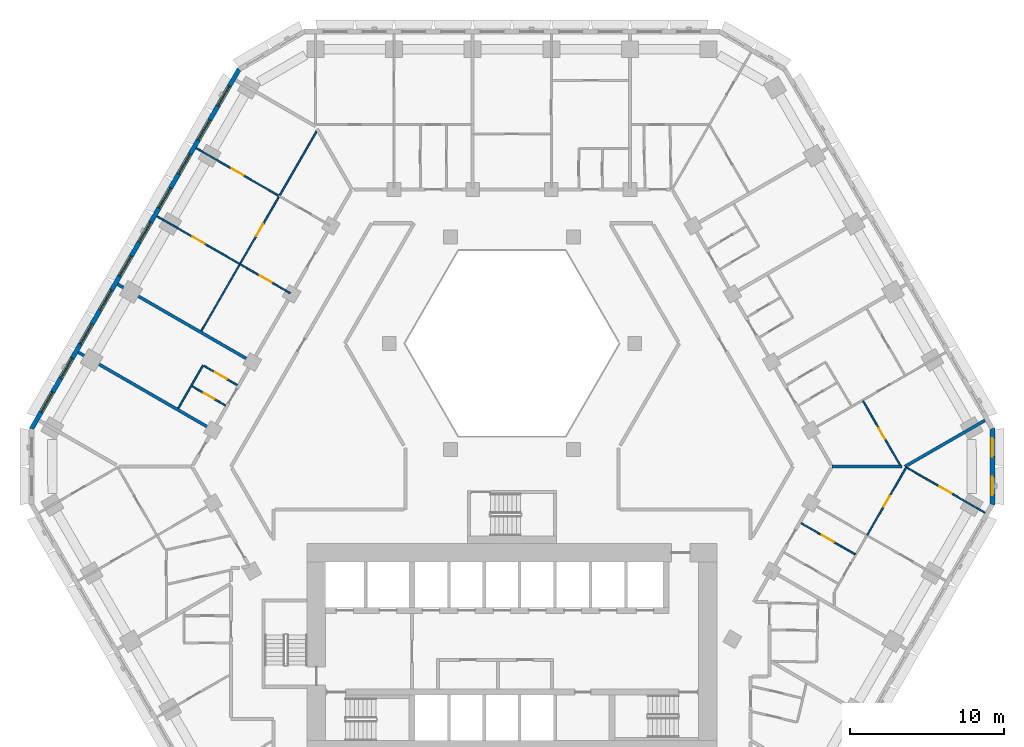
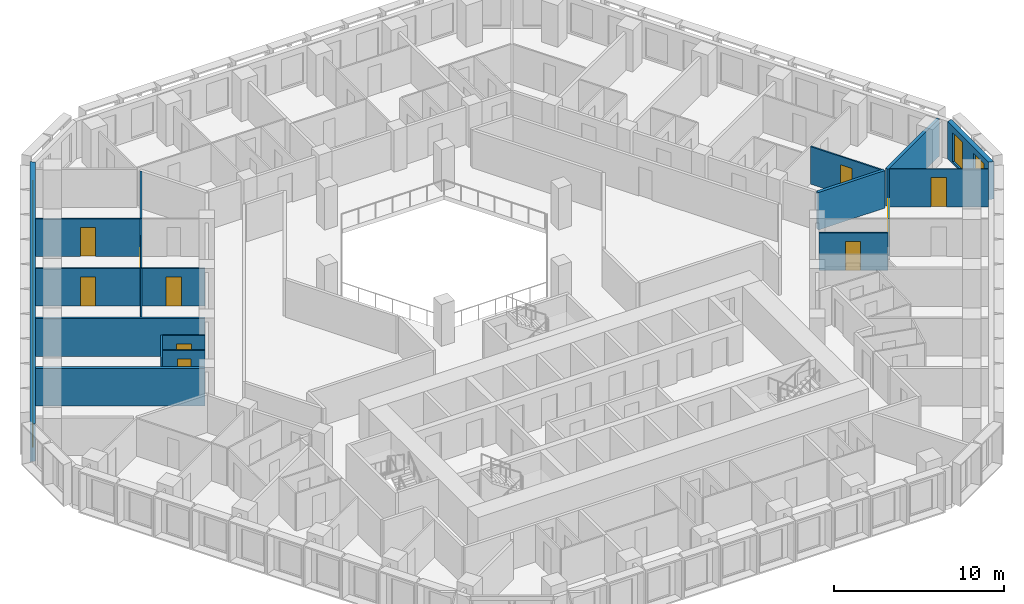
# One storey, part 8 of 21: 17 walls, 12 windows, 10 doors, 22 openings.
"""IFC4 building model written with IfcOpenShell, lengths in metres."""

from ifc_helpers import new_model, si_unit, direction, frame, frame_2d, origin, place, context, subcontext, project, spatial, polyline, rectangle, outline, extrude, material, layer, layer_set, type_object, element, fill, save


model = new_model("IFC4")

# Units and contexts
model_context = context("Model", 3, precision=1e-05, world=origin(), true_north=direction((0.0, 1.0)))
body_context = subcontext(model_context, "Body", "Model", "MODEL_VIEW")
ifc_project = project(units=[si_unit("LENGTHUNIT", "METRE"), si_unit("AREAUNIT", "SQUARE_METRE"), si_unit("VOLUMEUNIT", "CUBIC_METRE"), si_unit("PLANEANGLEUNIT", "RADIAN"), si_unit("MASSUNIT", "GRAM", prefix="KILO")], contexts=[model_context])

# Site, building, storey
site_placement = place(None, origin())
site = spatial("IfcSite", under=ifc_project, at=site_placement, CompositionType="ELEMENT")
building_placement = place(site_placement, origin())
building = spatial("IfcBuilding", under=site, at=building_placement, Name="Beryl Residences", CompositionType="ELEMENT")
storey_placement = place(building_placement, frame((0.0, 0.0, 41.39990234375)))
storey = spatial("IfcBuildingStorey", under=building, at=storey_placement, Name="L12", CompositionType="ELEMENT", Elevation=41.39990234375)

# Wall, openings, windows
ifc_material_1 = material(Name="Composite metal panel with mineral wool insulation")
ifc_layer_1 = layer(ifc_material_1, 0.300048828125)
ifc_layer_set_1 = layer_set([ifc_layer_1], Name="ES1 pale metal composite panel wall 300 mm")
wall_type_1 = type_object("IfcWallType", Name="ES1 pale metal composite panel wall 300 mm", PredefinedType="SOLIDWALL", material=ifc_layer_set_1)
wall_1_placement = place(storey_placement, frame((-17.7099609375, 25.824951171875, 0.0), z_axis=(0.0, 0.0, 1.0), x_axis=(-0.500001938803, -0.866024284413, 0.0)))
wall_1 = element("IfcWall", 1, at=wall_1_placement, inside=storey, type_object=wall_type_1, Name="ES1 external wall L12 NW", PredefinedType="SOLIDWALL", context=body_context, shape_type="SweptSolid", body=[
    extrude(outline(polyline([(0.0, -0.14990234375), (27.02001953125, -0.14990234375), (26.939697265625, 0.14990234375), (0.080322265625, 0.14990234375), (0.0, -0.14990234375)])), origin(), (0.0, 0.0, 1.0), 2.7001953125),
])
opening_1_placement = place(wall_1_placement, frame((1.277099609375, 0.0, 0.14990234375)))
opening_1 = element("IfcOpeningElement", 2, at=opening_1_placement, cuts=wall_1, Name="Opening W1", PredefinedType="OPENING", context=body_context, shape_type="SweptSolid", body=[
    extrude(rectangle(XDim=1.5, YDim=2.10009765625, at=frame_2d((0.75, 1.050048828125))), frame((0.0, 0.159912109375, 0.0), z_axis=(0.0, -1.0, 0.0), x_axis=(1.0, 0.0, 0.0)), (0.0, 0.0, 1.0), 0.320068359375),
])
opening_2_placement = place(wall_1_placement, frame((3.8291015625, 0.0, 0.14990234375)))
opening_2 = element("IfcOpeningElement", 3, at=opening_2_placement, cuts=wall_1, Name="Opening W1", PredefinedType="OPENING", context=body_context, shape_type="SweptSolid", body=[
    extrude(rectangle(XDim=1.5, YDim=2.10009765625, at=frame_2d((0.75, 1.050048828125))), frame((0.0, 0.159912109375, 0.0), z_axis=(0.0, -1.0, 0.0), x_axis=(1.0, 0.0, 0.0)), (0.0, 0.0, 1.0), 0.320068359375),
])
opening_3_placement = place(wall_1_placement, frame((6.382080078125, 0.0, 0.14990234375)))
opening_3 = element("IfcOpeningElement", 4, at=opening_3_placement, cuts=wall_1, Name="Opening W1", PredefinedType="OPENING", context=body_context, shape_type="SweptSolid", body=[
    extrude(rectangle(XDim=1.5, YDim=2.10009765625, at=frame_2d((0.75, 1.050048828125))), frame((0.0, 0.159912109375, 0.0), z_axis=(0.0, -1.0, 0.0), x_axis=(1.0, 0.0, 0.0)), (0.0, 0.0, 1.0), 0.320068359375),
])
opening_4_placement = place(wall_1_placement, frame((8.93310546875, 0.0, 0.14990234375)))
opening_4 = element("IfcOpeningElement", 5, at=opening_4_placement, cuts=wall_1, Name="Opening W1", PredefinedType="OPENING", context=body_context, shape_type="SweptSolid", body=[
    extrude(rectangle(XDim=1.5, YDim=2.10009765625, at=frame_2d((0.75, 1.050048828125))), frame((0.0, 0.159912109375, 0.0), z_axis=(0.0, -1.0, 0.0), x_axis=(1.0, 0.0, 0.0)), (0.0, 0.0, 1.0), 0.320068359375),
])
opening_5_placement = place(wall_1_placement, frame((11.485107421875, 0.0, 0.14990234375)))
opening_5 = element("IfcOpeningElement", 6, at=opening_5_placement, cuts=wall_1, Name="Opening W1", PredefinedType="OPENING", context=body_context, shape_type="SweptSolid", body=[
    extrude(rectangle(XDim=1.5, YDim=2.10009765625, at=frame_2d((0.75, 1.050048828125))), frame((0.0, 0.159912109375, 0.0), z_axis=(0.0, -1.0, 0.0), x_axis=(1.0, 0.0, 0.0)), (0.0, 0.0, 1.0), 0.320068359375),
])
opening_6_placement = place(wall_1_placement, frame((14.037109375, 0.0, 0.14990234375)))
opening_6 = element("IfcOpeningElement", 7, at=opening_6_placement, cuts=wall_1, Name="Opening W1", PredefinedType="OPENING", context=body_context, shape_type="SweptSolid", body=[
    extrude(rectangle(XDim=1.5, YDim=2.10009765625, at=frame_2d((0.75, 1.050048828125))), frame((0.0, 0.159912109375, 0.0), z_axis=(0.0, -1.0, 0.0), x_axis=(1.0, 0.0, 0.0)), (0.0, 0.0, 1.0), 0.320068359375),
])
opening_7_placement = place(wall_1_placement, frame((16.589111328125, 0.0, 0.14990234375)))
opening_7 = element("IfcOpeningElement", 8, at=opening_7_placement, cuts=wall_1, Name="Opening W1", PredefinedType="OPENING", context=body_context, shape_type="SweptSolid", body=[
    extrude(rectangle(XDim=1.5, YDim=2.10009765625, at=frame_2d((0.75, 1.050048828125))), frame((0.0, 0.159912109375, 0.0), z_axis=(0.0, -1.0, 0.0), x_axis=(1.0, 0.0, 0.0)), (0.0, 0.0, 1.0), 0.320068359375),
])
opening_8_placement = place(wall_1_placement, frame((19.14111328125, 0.0, 0.14990234375)))
opening_8 = element("IfcOpeningElement", 9, at=opening_8_placement, cuts=wall_1, Name="Opening W1", PredefinedType="OPENING", context=body_context, shape_type="SweptSolid", body=[
    extrude(rectangle(XDim=1.5, YDim=2.10009765625, at=frame_2d((0.75, 1.050048828125))), frame((0.0, 0.159912109375, 0.0), z_axis=(0.0, -1.0, 0.0), x_axis=(1.0, 0.0, 0.0)), (0.0, 0.0, 1.0), 0.320068359375),
])
opening_9_placement = place(wall_1_placement, frame((21.693115234375, 0.0, 0.14990234375)))
opening_9 = element("IfcOpeningElement", 10, at=opening_9_placement, cuts=wall_1, Name="Opening W1", PredefinedType="OPENING", context=body_context, shape_type="SweptSolid", body=[
    extrude(rectangle(XDim=1.5, YDim=2.10009765625, at=frame_2d((0.75, 1.050048828125))), frame((0.0, 0.159912109375, 0.0), z_axis=(0.0, -1.0, 0.0), x_axis=(1.0, 0.0, 0.0)), (0.0, 0.0, 1.0), 0.320068359375),
])
opening_10_placement = place(wall_1_placement, frame((24.243896484375, 0.0, 0.14990234375)))
opening_10 = element("IfcOpeningElement", 11, at=opening_10_placement, cuts=wall_1, Name="Opening W1", PredefinedType="OPENING", context=body_context, shape_type="SweptSolid", body=[
    extrude(rectangle(XDim=1.5, YDim=2.10009765625, at=frame_2d((0.75, 1.050048828125))), frame((0.0, 0.159912109375, 0.0), z_axis=(0.0, -1.0, 0.0), x_axis=(1.0, 0.0, 0.0)), (0.0, 0.0, 1.0), 0.320068359375),
])
ifc_material_2 = material(Name="Aluminium and clear glass", Category="aluminium")
window_type_1 = type_object("IfcWindowType", Name="W1 cell window 1500 x 2100 mm", PartitioningType="SINGLE_PANEL", PredefinedType="WINDOW", material=ifc_material_2)
window_1_placement = place(opening_1_placement, origin())
window_1 = element("IfcWindow", 12, at=window_1_placement, inside=storey, type_object=window_type_1, Name="W1 window L12 NW 1", OverallHeight=2.10009765625, OverallWidth=1.5, PartitioningType="SINGLE_PANEL", PredefinedType="WINDOW", context=body_context, shape_type="SweptSolid", body=[
    extrude(rectangle(XDim=1.5, YDim=2.10009765625, at=frame_2d((0.75, 1.050048828125))), frame((0.0, 0.030029296875, 0.0), z_axis=(0.0, -1.0, 0.0), x_axis=(1.0, 0.0, 0.0)), (0.0, 0.0, 1.0), 0.06005859375),
])
fill(opening_1, window_1)
window_2_placement = place(opening_2_placement, origin())
window_2 = element("IfcWindow", 13, at=window_2_placement, inside=storey, type_object=window_type_1, Name="W1 window L12 NW 2", OverallHeight=2.10009765625, OverallWidth=1.5, PartitioningType="SINGLE_PANEL", PredefinedType="WINDOW", context=body_context, shape_type="SweptSolid", body=[
    extrude(rectangle(XDim=1.5, YDim=2.10009765625, at=frame_2d((0.75, 1.050048828125))), frame((0.0, 0.030029296875, 0.0), z_axis=(0.0, -1.0, 0.0), x_axis=(1.0, 0.0, 0.0)), (0.0, 0.0, 1.0), 0.06005859375),
])
fill(opening_2, window_2)
window_3_placement = place(opening_3_placement, origin())
window_3 = element("IfcWindow", 14, at=window_3_placement, inside=storey, type_object=window_type_1, Name="W1 window L12 NW 3", OverallHeight=2.10009765625, OverallWidth=1.5, PartitioningType="SINGLE_PANEL", PredefinedType="WINDOW", context=body_context, shape_type="SweptSolid", body=[
    extrude(rectangle(XDim=1.5, YDim=2.10009765625, at=frame_2d((0.75, 1.050048828125))), frame((0.0, 0.030029296875, 0.0), z_axis=(0.0, -1.0, 0.0), x_axis=(1.0, 0.0, 0.0)), (0.0, 0.0, 1.0), 0.06005859375),
])
fill(opening_3, window_3)
window_4_placement = place(opening_4_placement, origin())
window_4 = element("IfcWindow", 15, at=window_4_placement, inside=storey, type_object=window_type_1, Name="W1 window L12 NW 4", OverallHeight=2.10009765625, OverallWidth=1.5, PartitioningType="SINGLE_PANEL", PredefinedType="WINDOW", context=body_context, shape_type="SweptSolid", body=[
    extrude(rectangle(XDim=1.5, YDim=2.10009765625, at=frame_2d((0.75, 1.050048828125))), frame((0.0, 0.030029296875, 0.0), z_axis=(0.0, -1.0, 0.0), x_axis=(1.0, 0.0, 0.0)), (0.0, 0.0, 1.0), 0.06005859375),
])
fill(opening_4, window_4)
window_5_placement = place(opening_5_placement, origin())
window_5 = element("IfcWindow", 16, at=window_5_placement, inside=storey, type_object=window_type_1, Name="W1 window L12 NW 5", OverallHeight=2.10009765625, OverallWidth=1.5, PartitioningType="SINGLE_PANEL", PredefinedType="WINDOW", context=body_context, shape_type="SweptSolid", body=[
    extrude(rectangle(XDim=1.5, YDim=2.10009765625, at=frame_2d((0.75, 1.050048828125))), frame((0.0, 0.030029296875, 0.0), z_axis=(0.0, -1.0, 0.0), x_axis=(1.0, 0.0, 0.0)), (0.0, 0.0, 1.0), 0.06005859375),
])
fill(opening_5, window_5)
window_6_placement = place(opening_6_placement, origin())
window_6 = element("IfcWindow", 17, at=window_6_placement, inside=storey, type_object=window_type_1, Name="W1 window L12 NW 6", OverallHeight=2.10009765625, OverallWidth=1.5, PartitioningType="SINGLE_PANEL", PredefinedType="WINDOW", context=body_context, shape_type="SweptSolid", body=[
    extrude(rectangle(XDim=1.5, YDim=2.10009765625, at=frame_2d((0.75, 1.050048828125))), frame((0.0, 0.030029296875, 0.0), z_axis=(0.0, -1.0, 0.0), x_axis=(1.0, 0.0, 0.0)), (0.0, 0.0, 1.0), 0.06005859375),
])
fill(opening_6, window_6)
window_7_placement = place(opening_7_placement, origin())
window_7 = element("IfcWindow", 18, at=window_7_placement, inside=storey, type_object=window_type_1, Name="W1 window L12 NW 7", OverallHeight=2.10009765625, OverallWidth=1.5, PartitioningType="SINGLE_PANEL", PredefinedType="WINDOW", context=body_context, shape_type="SweptSolid", body=[
    extrude(rectangle(XDim=1.5, YDim=2.10009765625, at=frame_2d((0.75, 1.050048828125))), frame((0.0, 0.030029296875, 0.0), z_axis=(0.0, -1.0, 0.0), x_axis=(1.0, 0.0, 0.0)), (0.0, 0.0, 1.0), 0.06005859375),
])
fill(opening_7, window_7)
window_8_placement = place(opening_8_placement, origin())
window_8 = element("IfcWindow", 19, at=window_8_placement, inside=storey, type_object=window_type_1, Name="W1 window L12 NW 8", OverallHeight=2.10009765625, OverallWidth=1.5, PartitioningType="SINGLE_PANEL", PredefinedType="WINDOW", context=body_context, shape_type="SweptSolid", body=[
    extrude(rectangle(XDim=1.5, YDim=2.10009765625, at=frame_2d((0.75, 1.050048828125))), frame((0.0, 0.030029296875, 0.0), z_axis=(0.0, -1.0, 0.0), x_axis=(1.0, 0.0, 0.0)), (0.0, 0.0, 1.0), 0.06005859375),
])
fill(opening_8, window_8)
window_9_placement = place(opening_9_placement, origin())
window_9 = element("IfcWindow", 20, at=window_9_placement, inside=storey, type_object=window_type_1, Name="W1 window L12 NW 9", OverallHeight=2.10009765625, OverallWidth=1.5, PartitioningType="SINGLE_PANEL", PredefinedType="WINDOW", context=body_context, shape_type="SweptSolid", body=[
    extrude(rectangle(XDim=1.5, YDim=2.10009765625, at=frame_2d((0.75, 1.050048828125))), frame((0.0, 0.030029296875, 0.0), z_axis=(0.0, -1.0, 0.0), x_axis=(1.0, 0.0, 0.0)), (0.0, 0.0, 1.0), 0.06005859375),
])
fill(opening_9, window_9)
window_10_placement = place(opening_10_placement, origin())
window_10 = element("IfcWindow", 21, at=window_10_placement, inside=storey, type_object=window_type_1, Name="W1 window L12 NW 10", OverallHeight=2.10009765625, OverallWidth=1.5, PartitioningType="SINGLE_PANEL", PredefinedType="WINDOW", context=body_context, shape_type="SweptSolid", body=[
    extrude(rectangle(XDim=1.5, YDim=2.10009765625, at=frame_2d((0.75, 1.050048828125))), frame((0.0, 0.030029296875, 0.0), z_axis=(0.0, -1.0, 0.0), x_axis=(1.0, 0.0, 0.0)), (0.0, 0.0, 1.0), 0.06005859375),
])
fill(opening_10, window_10)

wall_2_placement = place(storey_placement, frame((31.199951171875, -2.5, 0.0), z_axis=(0.0, 0.0, 1.0), x_axis=(0.0, 1.0, 0.0)))
wall_2 = element("IfcWall", 22, at=wall_2_placement, inside=storey, type_object=wall_type_1, Name="ES1 external wall L12 SE-NE", PredefinedType="SOLIDWALL", context=body_context, shape_type="SweptSolid", body=[
    extrude(outline(polyline([(0.0, -0.14990234375), (5.0, -0.14990234375), (4.919677734375, 0.14990234375), (0.080322265625, 0.14990234375), (0.0, -0.14990234375)])), origin(), (0.0, 0.0, 1.0), 2.7001953125),
])
opening_11_placement = place(wall_2_placement, frame((0.64990234375, 0.0, 0.14990234375)))
opening_11 = element("IfcOpeningElement", 23, at=opening_11_placement, cuts=wall_2, Name="Opening W2", PredefinedType="OPENING", context=body_context, shape_type="SweptSolid", body=[
    extrude(rectangle(XDim=1.199951171875, YDim=2.10009765625, at=frame_2d((0.60009765625, 1.050048828125))), frame((0.0, 0.159912109375, 0.0), z_axis=(0.0, -1.0, 0.0), x_axis=(1.0, 0.0, 0.0)), (0.0, 0.0, 1.0), 0.320068359375),
])
opening_12_placement = place(wall_2_placement, frame((3.14990234375, 0.0, 0.14990234375)))
opening_12 = element("IfcOpeningElement", 24, at=opening_12_placement, cuts=wall_2, Name="Opening W2", PredefinedType="OPENING", context=body_context, shape_type="SweptSolid", body=[
    extrude(rectangle(XDim=1.199951171875, YDim=2.10009765625, at=frame_2d((0.60009765625, 1.050048828125))), frame((0.0, 0.159912109375, 0.0), z_axis=(0.0, -1.0, 0.0), x_axis=(1.0, 0.0, 0.0)), (0.0, 0.0, 1.0), 0.320068359375),
])
ifc_material_3 = material(Name="Aluminium and clear glass", Category="aluminium")
window_type_2 = type_object("IfcWindowType", Name="W2 chamfer window 1200 x 2100 mm", PartitioningType="SINGLE_PANEL", PredefinedType="WINDOW", material=ifc_material_3)
window_11_placement = place(opening_11_placement, origin())
window_11 = element("IfcWindow", 25, at=window_11_placement, inside=storey, type_object=window_type_2, Name="W2 window L12 SE-NE 1", OverallHeight=2.10009765625, OverallWidth=1.199951171875, PartitioningType="SINGLE_PANEL", PredefinedType="WINDOW", context=body_context, shape_type="SweptSolid", body=[
    extrude(rectangle(XDim=1.199951171875, YDim=2.10009765625, at=frame_2d((0.60009765625, 1.050048828125))), frame((0.0, 0.030029296875, 0.0), z_axis=(0.0, -1.0, 0.0), x_axis=(1.0, 0.0, 0.0)), (0.0, 0.0, 1.0), 0.06005859375),
])
fill(opening_11, window_11)
window_12_placement = place(opening_12_placement, origin())
window_12 = element("IfcWindow", 26, at=window_12_placement, inside=storey, type_object=window_type_2, Name="W2 window L12 SE-NE 2", OverallHeight=2.10009765625, OverallWidth=1.199951171875, PartitioningType="SINGLE_PANEL", PredefinedType="WINDOW", context=body_context, shape_type="SweptSolid", body=[
    extrude(rectangle(XDim=1.199951171875, YDim=2.10009765625, at=frame_2d((0.60009765625, 1.050048828125))), frame((0.0, 0.030029296875, 0.0), z_axis=(0.0, -1.0, 0.0), x_axis=(1.0, 0.0, 0.0)), (0.0, 0.0, 1.0), 0.06005859375),
])
fill(opening_12, window_12)

# Wall, opening, door
ifc_material_4 = material(Name="Gypsum board partition on steel studs", Category="steel")
ifc_layer_2 = layer(ifc_material_4, 0.10009765625)
ifc_layer_set_2 = layer_set([ifc_layer_2], Name="PT1 partition 100 mm gypsum board on steel studs")
wall_type_2 = type_object("IfcWallType", Name="PT1 partition 100 mm gypsum board on steel studs", PredefinedType="PARTITIONING", material=ifc_layer_set_2)
wall_3_placement = place(storey_placement, frame((22.7958984375, 4.263916015625, 0.0), z_axis=(0.0, 0.0, 1.0), x_axis=(0.500099052605, -0.865968208183, 0.0)))
wall_3 = element("IfcWall", 27, at=wall_3_placement, inside=storey, type_object=wall_type_2, Name="Wall PT1 L12 005", PredefinedType="PARTITIONING", context=body_context, shape_type="SweptSolid", body=[
    extrude(rectangle(XDim=4.80712890625, YDim=0.10009765625, at=frame_2d((2.403564453125, 0.0))), origin(), (0.0, 0.0, 1.0), 2.7001953125),
])
opening_13_placement = place(wall_3_placement, frame((2.037109375, 0.0, 0.0)))
opening_13 = element("IfcOpeningElement", 28, at=opening_13_placement, cuts=wall_3, Name="Opening D0256", PredefinedType="OPENING", context=body_context, shape_type="SweptSolid", body=[
    extrude(rectangle(XDim=0.800048828125, YDim=2.10009765625, at=frame_2d((0.39990234375, 1.050048828125))), frame((0.0, 0.06005859375, 0.0), z_axis=(0.0, -1.0, 0.0), x_axis=(1.0, 0.0, 0.0)), (0.0, 0.0, 1.0), 0.1201171875),
])
ifc_material_5 = material(Name="Timber door leaf", Category="wood")
door_type_1 = type_object("IfcDoorType", Name="D3 bathroom door 800 x 2100 mm", OperationType="SINGLE_SWING_LEFT", PredefinedType="DOOR", material=ifc_material_5)
door_1_placement = place(opening_13_placement, origin())
door_1 = element("IfcDoor", 29, at=door_1_placement, inside=storey, type_object=door_type_1, Name="Door D0256 L12 001", OperationType="SINGLE_SWING_RIGHT", OverallHeight=2.10009765625, OverallWidth=0.800048828125, PredefinedType="DOOR", context=body_context, shape_type="SweptSolid", body=[
    extrude(rectangle(XDim=0.800048828125, YDim=2.10009765625, at=frame_2d((0.39990234375, 1.050048828125))), frame((0.0, 0.02490234375, 0.0), z_axis=(0.0, -1.0, 0.0), x_axis=(1.0, 0.0, 0.0)), (0.0, 0.0, 1.0), 0.050048828125),
])
fill(opening_13, door_1)

wall_4_placement = place(storey_placement, frame((-20.01708984375, 6.547119140625, 0.0), z_axis=(0.0, 0.0, 1.0), x_axis=(0.865940918122, -0.500146304917, 0.0)))
wall_4 = element("IfcWall", 30, at=wall_4_placement, inside=storey, type_object=wall_type_2, Name="Wall PT1 L12 020", PredefinedType="PARTITIONING", context=body_context, shape_type="SweptSolid", body=[
    extrude(rectangle(XDim=2.509521484375, YDim=0.10009765625, at=frame_2d((1.2548828125, 0.0))), origin(), (0.0, 0.0, 1.0), 2.7001953125),
])
opening_14_placement = place(wall_4_placement, frame((0.8291015625, 0.0, 0.0)))
opening_14 = element("IfcOpeningElement", 31, at=opening_14_placement, cuts=wall_4, Name="Opening D0208", PredefinedType="OPENING", context=body_context, shape_type="SweptSolid", body=[
    extrude(rectangle(XDim=0.89990234375, YDim=2.10009765625, at=frame_2d((0.449951171875, 1.050048828125))), frame((0.0, 0.06005859375, 0.0), z_axis=(0.0, -1.0, 0.0), x_axis=(1.0, 0.0, 0.0)), (0.0, 0.0, 1.0), 0.1201171875),
])
ifc_material_6 = material(Name="Timber door leaf", Category="wood")
door_type_2 = type_object("IfcDoorType", Name="D2 room door 900 x 2100 mm", OperationType="SINGLE_SWING_LEFT", PredefinedType="DOOR", material=ifc_material_6)
door_2_placement = place(opening_14_placement, origin())
door_2 = element("IfcDoor", 32, at=door_2_placement, inside=storey, type_object=door_type_2, Name="Door D0208 L12 001", OperationType="SINGLE_SWING_RIGHT", OverallHeight=2.10009765625, OverallWidth=0.89990234375, PredefinedType="DOOR", context=body_context, shape_type="SweptSolid", body=[
    extrude(rectangle(XDim=0.89990234375, YDim=2.10009765625, at=frame_2d((0.449951171875, 1.050048828125))), frame((0.0, 0.02490234375, 0.0), z_axis=(0.0, -1.0, 0.0), x_axis=(1.0, 0.0, 0.0)), (0.0, 0.0, 1.0), 0.050048828125),
])
fill(opening_14, door_2)

wall_5_placement = place(storey_placement, frame((-20.782958984375, 5.220947265625, 0.0), z_axis=(0.0, 0.0, 1.0), x_axis=(0.865958718457, -0.500115484592, 0.0)))
wall_5 = element("IfcWall", 33, at=wall_5_placement, inside=storey, type_object=wall_type_2, Name="Wall PT1 L12 021", PredefinedType="PARTITIONING", context=body_context, shape_type="SweptSolid", body=[
    extrude(rectangle(XDim=2.50927734375, YDim=0.10009765625, at=frame_2d((1.254638671875, 0.0))), origin(), (0.0, 0.0, 1.0), 2.7001953125),
])
opening_15_placement = place(wall_5_placement, frame((0.8798828125, 0.0, 0.0)))
opening_15 = element("IfcOpeningElement", 34, at=opening_15_placement, cuts=wall_5, Name="Opening D0209", PredefinedType="OPENING", context=body_context, shape_type="SweptSolid", body=[
    extrude(rectangle(XDim=0.800048828125, YDim=2.10009765625, at=frame_2d((0.39990234375, 1.050048828125))), frame((0.0, 0.06005859375, 0.0), z_axis=(0.0, -1.0, 0.0), x_axis=(1.0, 0.0, 0.0)), (0.0, 0.0, 1.0), 0.1201171875),
])
door_3_placement = place(opening_15_placement, origin())
door_3 = element("IfcDoor", 35, at=door_3_placement, inside=storey, type_object=door_type_1, Name="Door D0209 L12 001", OperationType="SINGLE_SWING_LEFT", OverallHeight=2.10009765625, OverallWidth=0.800048828125, PredefinedType="DOOR", context=body_context, shape_type="SweptSolid", body=[
    extrude(rectangle(XDim=0.800048828125, YDim=2.10009765625, at=frame_2d((0.39990234375, 1.050048828125))), frame((0.0, 0.02490234375, 0.0), z_axis=(0.0, -1.0, 0.0), x_axis=(1.0, 0.0, 0.0)), (0.0, 0.0, 1.0), 0.050048828125),
])
fill(opening_15, door_3)

wall_6_placement = place(storey_placement, frame((18.777099609375, -3.677001953125, 0.0), z_axis=(0.0, 0.0, 1.0), x_axis=(0.866000843773, -0.500042536776, 0.0)))
wall_6 = element("IfcWall", 36, at=wall_6_placement, inside=storey, type_object=wall_type_2, Name="Wall PT1 L12 023", PredefinedType="PARTITIONING", context=body_context, shape_type="SweptSolid", body=[
    extrude(rectangle(XDim=4.049560546875, YDim=0.10009765625, at=frame_2d((2.02490234375, 0.0))), origin(), (0.0, 0.0, 1.0), 2.7001953125),
])
opening_16_placement = place(wall_6_placement, frame((1.550048828125, 0.0, 0.0)))
opening_16 = element("IfcOpeningElement", 37, at=opening_16_placement, cuts=wall_6, Name="Opening D0246", PredefinedType="OPENING", context=body_context, shape_type="SweptSolid", body=[
    extrude(rectangle(XDim=0.89990234375, YDim=2.10009765625, at=frame_2d((0.449951171875, 1.050048828125))), frame((0.0, 0.06005859375, 0.0), z_axis=(0.0, -1.0, 0.0), x_axis=(1.0, 0.0, 0.0)), (0.0, 0.0, 1.0), 0.1201171875),
])
door_4_placement = place(opening_16_placement, origin())
door_4 = element("IfcDoor", 38, at=door_4_placement, inside=storey, type_object=door_type_2, Name="Door D0246 L12 001", OperationType="SINGLE_SWING_RIGHT", OverallHeight=2.10009765625, OverallWidth=0.89990234375, PredefinedType="DOOR", context=body_context, shape_type="SweptSolid", body=[
    extrude(rectangle(XDim=0.89990234375, YDim=2.10009765625, at=frame_2d((0.449951171875, 1.050048828125))), frame((0.0, 0.02490234375, 0.0), z_axis=(0.0, -1.0, 0.0), x_axis=(1.0, 0.0, 0.0)), (0.0, 0.0, 1.0), 0.050048828125),
])
fill(opening_16, door_4)

wall_7_placement = place(storey_placement, frame((-20.508056640625, 20.678955078125, 0.0), z_axis=(0.0, 0.0, 1.0), x_axis=(0.86607068519, -0.499921562103, 0.0)))
wall_7 = element("IfcWall", 39, at=wall_7_placement, inside=storey, type_object=wall_type_2, Name="Wall PT1 L12 024", PredefinedType="PARTITIONING", context=body_context, shape_type="SweptSolid", body=[
    extrude(rectangle(XDim=6.22705078125, YDim=0.10009765625, at=frame_2d((3.113525390625, 0.0))), origin(), (0.0, 0.0, 1.0), 2.7001953125),
])
opening_17_placement = place(wall_7_placement, frame((2.6630859375, 0.0, 0.0)))
opening_17 = element("IfcOpeningElement", 40, at=opening_17_placement, cuts=wall_7, Name="Opening D0206", PredefinedType="OPENING", context=body_context, shape_type="SweptSolid", body=[
    extrude(rectangle(XDim=0.89990234375, YDim=2.10009765625, at=frame_2d((0.449951171875, 1.050048828125))), frame((0.0, 0.06005859375, 0.0), z_axis=(0.0, -1.0, 0.0), x_axis=(1.0, 0.0, 0.0)), (0.0, 0.0, 1.0), 0.1201171875),
])
door_5_placement = place(opening_17_placement, origin())
door_5 = element("IfcDoor", 41, at=door_5_placement, inside=storey, type_object=door_type_2, Name="Door D0206 L12 001", OperationType="SINGLE_SWING_RIGHT", OverallHeight=2.10009765625, OverallWidth=0.89990234375, PredefinedType="DOOR", context=body_context, shape_type="SweptSolid", body=[
    extrude(rectangle(XDim=0.89990234375, YDim=2.10009765625, at=frame_2d((0.449951171875, 1.050048828125))), frame((0.0, 0.02490234375, 0.0), z_axis=(0.0, -1.0, 0.0), x_axis=(1.0, 0.0, 0.0)), (0.0, 0.0, 1.0), 0.050048828125),
])
fill(opening_17, door_5)

wall_8_placement = place(storey_placement, frame((25.64892578125, -0.073974609375, 0.0), z_axis=(0.0, 0.0, 1.0), x_axis=(0.866059819573, -0.499940385368, 0.0)))
wall_8 = element("IfcWall", 42, at=wall_8_placement, inside=storey, type_object=wall_type_2, Name="Wall PT1 L12 026", PredefinedType="PARTITIONING", context=body_context, shape_type="SweptSolid", body=[
    extrude(rectangle(XDim=5.850830078125, YDim=0.10009765625, at=frame_2d((2.92529296875, 0.0))), origin(), (0.0, 0.0, 1.0), 2.7001953125),
])
opening_18_placement = place(wall_8_placement, frame((2.449951171875, 0.0, 0.0)))
opening_18 = element("IfcOpeningElement", 43, at=opening_18_placement, cuts=wall_8, Name="Opening D0249", PredefinedType="OPENING", context=body_context, shape_type="SweptSolid", body=[
    extrude(rectangle(XDim=0.89990234375, YDim=2.10009765625, at=frame_2d((0.449951171875, 1.050048828125))), frame((0.0, 0.06005859375, 0.0), z_axis=(0.0, -1.0, 0.0), x_axis=(1.0, 0.0, 0.0)), (0.0, 0.0, 1.0), 0.1201171875),
])
door_6_placement = place(opening_18_placement, origin())
door_6 = element("IfcDoor", 44, at=door_6_placement, inside=storey, type_object=door_type_2, Name="Door D0249 L12 001", OperationType="SINGLE_SWING_LEFT", OverallHeight=2.10009765625, OverallWidth=0.89990234375, PredefinedType="DOOR", context=body_context, shape_type="SweptSolid", body=[
    extrude(rectangle(XDim=0.89990234375, YDim=2.10009765625, at=frame_2d((0.449951171875, 1.050048828125))), frame((0.0, 0.02490234375, 0.0), z_axis=(0.0, -1.0, 0.0), x_axis=(1.0, 0.0, 0.0)), (0.0, 0.0, 1.0), 0.050048828125),
])
fill(opening_18, door_6)

wall_9_placement = place(storey_placement, frame((-23.06005859375, 16.259033203125, 0.0), z_axis=(0.0, 0.0, 1.0), x_axis=(0.86607068519, -0.499921562103, 0.0)))
wall_9 = element("IfcWall", 45, at=wall_9_placement, inside=storey, type_object=wall_type_2, Name="Wall PT1 L12 027", PredefinedType="PARTITIONING", context=body_context, shape_type="SweptSolid", body=[
    extrude(rectangle(XDim=6.22705078125, YDim=0.10009765625, at=frame_2d((3.113525390625, 0.0))), origin(), (0.0, 0.0, 1.0), 2.7001953125),
])
opening_19_placement = place(wall_9_placement, frame((2.6630859375, 0.0, 0.0)))
opening_19 = element("IfcOpeningElement", 46, at=opening_19_placement, cuts=wall_9, Name="Opening D0205", PredefinedType="OPENING", context=body_context, shape_type="SweptSolid", body=[
    extrude(rectangle(XDim=0.89990234375, YDim=2.10009765625, at=frame_2d((0.449951171875, 1.050048828125))), frame((0.0, 0.06005859375, 0.0), z_axis=(0.0, -1.0, 0.0), x_axis=(1.0, 0.0, 0.0)), (0.0, 0.0, 1.0), 0.1201171875),
])
door_7_placement = place(opening_19_placement, origin())
door_7 = element("IfcDoor", 47, at=door_7_placement, inside=storey, type_object=door_type_2, Name="Door D0205 L12 001", OperationType="SINGLE_SWING_LEFT", OverallHeight=2.10009765625, OverallWidth=0.89990234375, PredefinedType="DOOR", context=body_context, shape_type="SweptSolid", body=[
    extrude(rectangle(XDim=0.89990234375, YDim=2.10009765625, at=frame_2d((0.449951171875, 1.050048828125))), frame((0.0, 0.02490234375, 0.0), z_axis=(0.0, -1.0, 0.0), x_axis=(1.0, 0.0, 0.0)), (0.0, 0.0, 1.0), 0.050048828125),
])
fill(opening_19, door_7)

# Wall
wall_10_placement = place(storey_placement, frame((-21.6689453125, 3.787109375, 0.0), z_axis=(0.0, 0.0, 1.0), x_axis=(0.499913121084, 0.86607555754, 0.0)))
element("IfcWall", 48, at=wall_10_placement, inside=storey, type_object=wall_type_2, Name="Wall PT1 L12 042", PredefinedType="PARTITIONING", context=body_context, shape_type="SweptSolid", body=[
    extrude(rectangle(XDim=3.21435546875, YDim=0.10009765625, at=frame_2d((1.607177734375, 0.0))), origin(), (0.0, 0.0, 1.0), 2.7001953125),
])

# Wall, opening, door
wall_11_placement = place(storey_placement, frame((-20.1689453125, 8.81201171875, 0.0), z_axis=(0.0, 0.0, 1.0), x_axis=(0.499995459772, 0.86602802507, 0.0)))
wall_11 = element("IfcWall", 49, at=wall_11_placement, inside=storey, type_object=wall_type_2, Name="Wall PT1 L12 043", PredefinedType="PARTITIONING", context=body_context, shape_type="SweptSolid", body=[
    extrude(rectangle(XDim=14.966064453125, YDim=0.10009765625, at=frame_2d((7.48291015625, 0.0))), origin(), (0.0, 0.0, 1.0), 2.7001953125),
])
opening_20_placement = place(wall_11_placement, frame((7.10498046875, 0.0, 0.0)))
opening_20 = element("IfcOpeningElement", 50, at=opening_20_placement, cuts=wall_11, Name="Opening D0202", PredefinedType="OPENING", context=body_context, shape_type="SweptSolid", body=[
    extrude(rectangle(XDim=0.89990234375, YDim=2.10009765625, at=frame_2d((0.449951171875, 1.050048828125))), frame((0.0, 0.06005859375, 0.0), z_axis=(0.0, -1.0, 0.0), x_axis=(1.0, 0.0, 0.0)), (0.0, 0.0, 1.0), 0.1201171875),
])
door_8_placement = place(opening_20_placement, origin())
door_8 = element("IfcDoor", 51, at=door_8_placement, inside=storey, type_object=door_type_2, Name="Door D0202 L12 001", OperationType="SINGLE_SWING_RIGHT", OverallHeight=2.10009765625, OverallWidth=0.89990234375, PredefinedType="DOOR", context=body_context, shape_type="SweptSolid", body=[
    extrude(rectangle(XDim=0.89990234375, YDim=2.10009765625, at=frame_2d((0.449951171875, 1.050048828125))), frame((0.0, 0.02490234375, 0.0), z_axis=(0.0, -1.0, 0.0), x_axis=(1.0, 0.0, 0.0)), (0.0, 0.0, 1.0), 0.050048828125),
])
fill(opening_20, door_8)

wall_12_placement = place(storey_placement, frame((23.053955078125, -4.468994140625, 0.0), z_axis=(0.0, 0.0, 1.0), x_axis=(0.500023345639, 0.866011924754, 0.0)))
wall_12 = element("IfcWall", 52, at=wall_12_placement, inside=storey, type_object=wall_type_2, Name="Wall PT1 L12 077", PredefinedType="PARTITIONING", context=body_context, shape_type="SweptSolid", body=[
    extrude(rectangle(XDim=5.103759765625, YDim=0.10009765625, at=frame_2d((2.5517578125, 0.0))), origin(), (0.0, 0.0, 1.0), 2.7001953125),
])
opening_21_placement = place(wall_12_placement, frame((2.152099609375, 0.0, 0.0)))
opening_21 = element("IfcOpeningElement", 53, at=opening_21_placement, cuts=wall_12, Name="Opening D0250", PredefinedType="OPENING", context=body_context, shape_type="SweptSolid", body=[
    extrude(rectangle(XDim=0.800048828125, YDim=2.10009765625, at=frame_2d((0.39990234375, 1.050048828125))), frame((0.0, 0.06005859375, 0.0), z_axis=(0.0, -1.0, 0.0), x_axis=(1.0, 0.0, 0.0)), (0.0, 0.0, 1.0), 0.1201171875),
])
door_9_placement = place(opening_21_placement, origin())
door_9 = element("IfcDoor", 54, at=door_9_placement, inside=storey, type_object=door_type_1, Name="Door D0250 L12 001", OperationType="SINGLE_SWING_RIGHT", OverallHeight=2.10009765625, OverallWidth=0.800048828125, PredefinedType="DOOR", context=body_context, shape_type="SweptSolid", body=[
    extrude(rectangle(XDim=0.800048828125, YDim=2.10009765625, at=frame_2d((0.39990234375, 1.050048828125))), frame((0.0, 0.02490234375, 0.0), z_axis=(0.0, -1.0, 0.0), x_axis=(1.0, 0.0, 0.0)), (0.0, 0.0, 1.0), 0.050048828125),
])
fill(opening_21, door_9)

wall_13_placement = place(storey_placement, frame((-17.6669921875, 13.14599609375, 0.0), z_axis=(0.0, 0.0, 1.0), x_axis=(0.866008894869, -0.50002859319, 0.0)))
wall_13 = element("IfcWall", 55, at=wall_13_placement, inside=storey, type_object=wall_type_2, Name="Wall PT1 L12 078", PredefinedType="PARTITIONING", context=body_context, shape_type="SweptSolid", body=[
    extrude(rectangle(XDim=3.773681640625, YDim=0.10009765625, at=frame_2d((1.88671875, 0.0))), origin(), (0.0, 0.0, 1.0), 2.7001953125),
])
opening_22_placement = place(wall_13_placement, frame((1.486083984375, 0.0, 0.0)))
opening_22 = element("IfcOpeningElement", 56, at=opening_22_placement, cuts=wall_13, Name="Opening D0204", PredefinedType="OPENING", context=body_context, shape_type="SweptSolid", body=[
    extrude(rectangle(XDim=0.89990234375, YDim=2.10009765625, at=frame_2d((0.449951171875, 1.050048828125))), frame((0.0, 0.06005859375, 0.0), z_axis=(0.0, -1.0, 0.0), x_axis=(1.0, 0.0, 0.0)), (0.0, 0.0, 1.0), 0.1201171875),
])
door_10_placement = place(opening_22_placement, origin())
door_10 = element("IfcDoor", 57, at=door_10_placement, inside=storey, type_object=door_type_2, Name="Door D0204 L12 001", OperationType="SINGLE_SWING_RIGHT", OverallHeight=2.10009765625, OverallWidth=0.89990234375, PredefinedType="DOOR", context=body_context, shape_type="SweptSolid", body=[
    extrude(rectangle(XDim=0.89990234375, YDim=2.10009765625, at=frame_2d((0.449951171875, 1.050048828125))), frame((0.0, 0.02490234375, 0.0), z_axis=(0.0, -1.0, 0.0), x_axis=(1.0, 0.0, 0.0)), (0.0, 0.0, 1.0), 0.050048828125),
])
fill(opening_22, door_10)

# Walls
ifc_material_7 = material(Name="Acoustic double stud gypsum board wall")
ifc_layer_3 = layer(ifc_material_7, 0.199951171875)
ifc_layer_set_3 = layer_set([ifc_layer_3], Name="PT3 party wall 200 mm acoustic double stud")
wall_type_3 = type_object("IfcWallType", Name="PT3 party wall 200 mm acoustic double stud", PredefinedType="PARTITIONING", material=ifc_layer_set_3)
for number, where, z_axis, x_axis, name in (
    (58, (-28.1630859375, 7.4189453125, 0.0), (0.0, 0.0, 1.0), (0.866022959057, -0.500004234368, 0.0), "Wall PT3 L12 007"),
    (59, (-25.611083984375, 11.839111328125, 0.0), (0.0, 0.0, 1.0), (0.866022959057, -0.500004234368, 0.0), "Wall PT3 L12 010"),
):
    element("IfcWall", number, at=place(storey_placement, frame(where, z_axis=z_axis, x_axis=x_axis)), inside=storey, type_object=wall_type_3, Name=name, PredefinedType="PARTITIONING", context=body_context, shape_type="SweptSolid", body=[
        extrude(rectangle(XDim=10.0, YDim=0.199951171875, at=frame_2d((5.0, 0.0))), origin(), (0.0, 0.0, 1.0), 2.7001953125),
    ])
wall_14_placement = place(storey_placement, frame((20.783935546875, 0.0009765625, 0.0), z_axis=(0.0, 0.0, 1.0), x_axis=(1.0, 0.0, 0.0)))
element("IfcWall", 60, at=wall_14_placement, inside=storey, type_object=wall_type_3, Name="Wall PT3 L12 015", PredefinedType="PARTITIONING", context=body_context, shape_type="SweptSolid", body=[
    extrude(rectangle(XDim=4.5361328125, YDim=0.199951171875, at=frame_2d((2.26806640625, 0.0))), origin(), (0.0, 0.0, 1.0), 2.7001953125),
])
wall_15_placement = place(storey_placement, frame((25.51904296875, 0.0009765625, 0.0), z_axis=(0.0, 0.0, 1.0), x_axis=(0.86609140076, 0.499885672459, 0.0)))
element("IfcWall", 61, at=wall_15_placement, inside=storey, type_object=wall_type_3, Name="Wall PT3 L12 025", PredefinedType="PARTITIONING", context=body_context, shape_type="SweptSolid", body=[
    extrude(rectangle(XDim=5.99951171875, YDim=0.199951171875, at=frame_2d((2.999755859375, 0.0))), origin(), (0.0, 0.0, 1.0), 2.7001953125),
])

save(model, "model.ifc")
